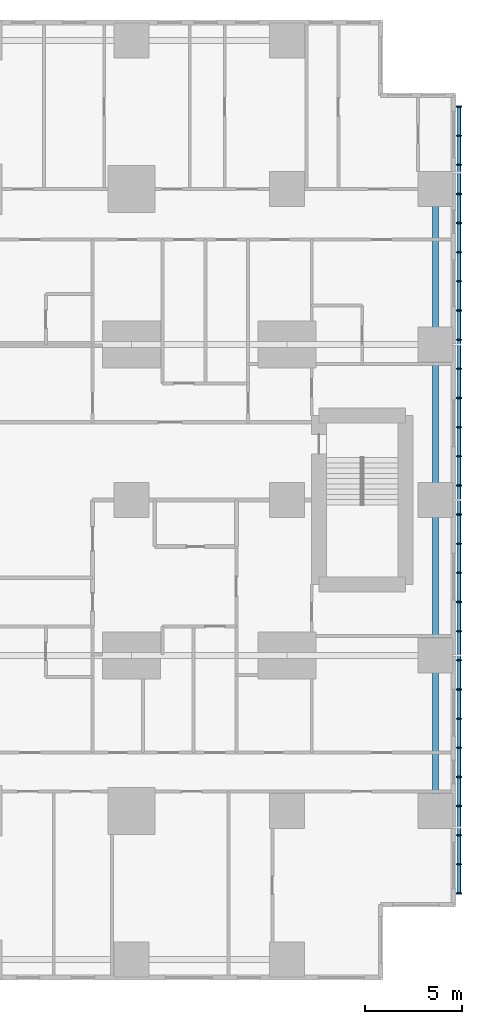
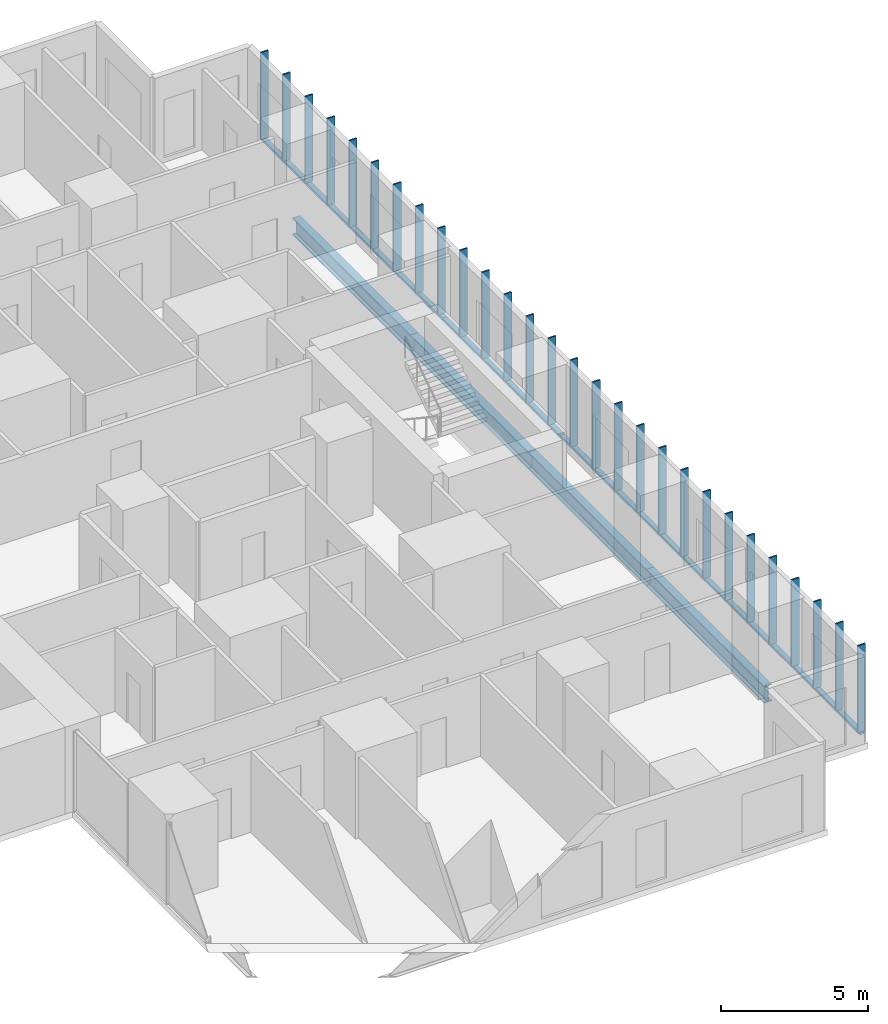
# One storey, part 6 of 20: 32 members, 4 beams.
"""IFC4 building model written with IfcOpenShell, lengths in metres."""

from ifc_helpers import new_model, si_unit, direction, frame, origin, origin_2d, place, context, subcontext, project, spatial, rectangle, hollow_rectangle, i_section, extrude, material, material_profile, profile_set, type_object, element, save


model = new_model("IFC4")

# Units and contexts
model_context = context("Model", 3, precision=1e-05, world=origin(), true_north=direction((0.0, 1.0)))
body_context = subcontext(model_context, "Body", "Model", "MODEL_VIEW")
ifc_project = project(units=[si_unit("LENGTHUNIT", "METRE"), si_unit("AREAUNIT", "SQUARE_METRE"), si_unit("VOLUMEUNIT", "CUBIC_METRE"), si_unit("PLANEANGLEUNIT", "RADIAN"), si_unit("MASSUNIT", "GRAM", prefix="KILO")], contexts=[model_context])

# Site, building, storey
site_placement = place(None, origin())
site = spatial("IfcSite", under=ifc_project, at=site_placement, CompositionType="ELEMENT")
building_placement = place(site_placement, origin())
building = spatial("IfcBuilding", under=site, at=building_placement, Name="Cleftline Residences", CompositionType="ELEMENT")
storey_placement = place(building_placement, frame((0.0, 0.0, 214.60009765625)))
storey = spatial("IfcBuildingStorey", under=building, at=storey_placement, Name="L56", CompositionType="ELEMENT", Elevation=214.60009765625)

# Members
ifc_material_1 = material(Name="Steel S355, hot-dip galvanised", Category="steel")
ifc_material_profile_1 = material_profile(ifc_material_1, hollow_rectangle(XDim=0.10009765625, YDim=0.199951171875, WallThickness=0.008056640625, InnerFilletRadius=0.008056640625, OuterFilletRadius=0.011962890625, at=origin_2d()))
ifc_profile_set_1 = profile_set([ifc_material_profile_1], Name="Steel S355, hot-dip galvanised")
member_type_1 = type_object("IfcMemberType", Name="BAGUETTE CARRIER RHS 200X100X8", PredefinedType="USERDEFINED", material=ifc_profile_set_1)
member_1_placement = place(storey_placement, frame((66.85009765625, 3.699951171875, -0.050048828125), z_axis=(0.0, 1.0, 0.0), x_axis=(0.0, 0.0, 1.0)))
element("IfcMember", 1, at=member_1_placement, inside=storey, type_object=member_type_1, Name="Baguette carrier", ObjectType="BAGUETTE CARRIER", PredefinedType="USERDEFINED", context=body_context, shape_type="SweptSolid", body=[
    extrude(hollow_rectangle(XDim=0.10009765625, YDim=0.199951171875, WallThickness=0.008056640625, InnerFilletRadius=0.008056640625, OuterFilletRadius=0.011962890625, at=origin_2d()), origin(), (0.0, 0.0, 1.0), 12.300048828125),
])
for number, where, z_axis, x_axis, name in (
    (2, (66.85009765625, 16.0, -0.050048828125), (0.0, 1.0, 0.0), (0.0, 0.0, 1.0), "Baguette carrier"),
    (3, (66.85009765625, 24.0, -0.050048828125), (0.0, 1.0, 0.0), (0.0, 0.0, 1.0), "Baguette carrier"),
):
    element("IfcMember", number, at=place(storey_placement, frame(where, z_axis=z_axis, x_axis=x_axis)), inside=storey, type_object=member_type_1, Name=name, ObjectType="BAGUETTE CARRIER", PredefinedType="USERDEFINED", context=body_context, shape_type="SweptSolid", body=[
        extrude(hollow_rectangle(XDim=0.10009765625, YDim=0.199951171875, WallThickness=0.008056640625, InnerFilletRadius=0.008056640625, OuterFilletRadius=0.011962890625, at=origin_2d()), origin(), (0.0, 0.0, 1.0), 8.0),
    ])
member_2_placement = place(storey_placement, frame((66.85009765625, 32.0, -0.050048828125), z_axis=(0.0, 1.0, 0.0), x_axis=(0.0, 0.0, 1.0)))
element("IfcMember", 4, at=member_2_placement, inside=storey, type_object=member_type_1, Name="Baguette carrier", ObjectType="BAGUETTE CARRIER", PredefinedType="USERDEFINED", context=body_context, shape_type="SweptSolid", body=[
    extrude(hollow_rectangle(XDim=0.10009765625, YDim=0.199951171875, WallThickness=0.008056640625, InnerFilletRadius=0.008056640625, OuterFilletRadius=0.011962890625, at=origin_2d()), origin(), (0.0, 0.0, 1.0), 12.300048828125),
])

# Beams
ifc_material_2 = material(Name="Steel S355", Category="steel")
ifc_material_profile_2 = material_profile(ifc_material_2, i_section(OverallWidth=0.300048828125, OverallDepth=0.699951171875, WebThickness=0.01708984375, FlangeThickness=0.031982421875, FilletRadius=0.027099609375, at=origin_2d()))
ifc_profile_set_2 = profile_set([ifc_material_profile_2], Name="Steel S355")
beam_type = type_object("IfcBeamType", Name="BEAM HEB 700", PredefinedType="BEAM", material=ifc_profile_set_2)
for number, where, z_axis, x_axis, name in (
    (5, (65.64990234375, 8.0, -0.60009765625), (0.0, 1.0, 0.0), (-1.0, 0.0, 0.0), "Edge beam"),
    (6, (65.64990234375, 16.0, -0.60009765625), (0.0, 1.0, 0.0), (-1.0, 0.0, 0.0), "Edge beam"),
    (7, (65.64990234375, 24.0, -0.60009765625), (0.0, 1.0, 0.0), (-1.0, 0.0, 0.0), "Edge beam"),
    (8, (65.64990234375, 32.0, -0.60009765625), (0.0, 1.0, 0.0), (-1.0, 0.0, 0.0), "Edge beam"),
):
    element("IfcBeam", number, at=place(storey_placement, frame(where, z_axis=z_axis, x_axis=x_axis)), inside=storey, type_object=beam_type, Name=name, PredefinedType="BEAM", context=body_context, shape_type="SweptSolid", body=[
        extrude(i_section(OverallWidth=0.300048828125, OverallDepth=0.699951171875, WebThickness=0.01708984375, FlangeThickness=0.031982421875, FilletRadius=0.027099609375, at=origin_2d()), origin(), (0.0, 0.0, 1.0), 8.0),
    ])

# Members
ifc_material_3 = material(Name="Extruded terracotta", Category="masonry")
ifc_material_profile_3 = material_profile(ifc_material_3, rectangle(XDim=0.06005859375, YDim=0.300048828125, at=origin_2d()))
ifc_profile_set_3 = profile_set([ifc_material_profile_3], Name="Extruded terracotta")
member_type_2 = type_object("IfcMemberType", Name="TERRACOTTA BAGUETTE 60X300", PredefinedType="USERDEFINED", material=ifc_profile_set_3)
for number, where, z_axis, x_axis, name in (
    (9, (66.85009765625, 3.75, 0.0), (0.0, 0.0, 1.0), (0.0, 1.0, 0.0), "Terracotta baguette"),
    (10, (66.85009765625, 5.25, 0.0), (0.0, 0.0, 1.0), (0.0, 1.0, 0.0), "Terracotta baguette"),
    (11, (66.85009765625, 6.75, 0.0), (0.0, 0.0, 1.0), (0.0, 1.0, 0.0), "Terracotta baguette"),
    (12, (66.85009765625, 8.25, 0.0), (0.0, 0.0, 1.0), (0.0, 1.0, 0.0), "Terracotta baguette"),
    (13, (66.85009765625, 9.75, 0.0), (0.0, 0.0, 1.0), (0.0, 1.0, 0.0), "Terracotta baguette"),
    (14, (66.85009765625, 11.25, 0.0), (0.0, 0.0, 1.0), (0.0, 1.0, 0.0), "Terracotta baguette"),
    (15, (66.85009765625, 12.75, 0.0), (0.0, 0.0, 1.0), (0.0, 1.0, 0.0), "Terracotta baguette"),
    (16, (66.85009765625, 14.25, 0.0), (0.0, 0.0, 1.0), (0.0, 1.0, 0.0), "Terracotta baguette"),
    (17, (66.85009765625, 15.75, 0.0), (0.0, 0.0, 1.0), (0.0, 1.0, 0.0), "Terracotta baguette"),
    (18, (66.85009765625, 17.25, 0.0), (0.0, 0.0, 1.0), (0.0, 1.0, 0.0), "Terracotta baguette"),
    (19, (66.85009765625, 18.75, 0.0), (0.0, 0.0, 1.0), (0.0, 1.0, 0.0), "Terracotta baguette"),
    (20, (66.85009765625, 20.25, 0.0), (0.0, 0.0, 1.0), (0.0, 1.0, 0.0), "Terracotta baguette"),
    (21, (66.85009765625, 21.75, 0.0), (0.0, 0.0, 1.0), (0.0, 1.0, 0.0), "Terracotta baguette"),
    (22, (66.85009765625, 23.25, 0.0), (0.0, 0.0, 1.0), (0.0, 1.0, 0.0), "Terracotta baguette"),
    (23, (66.85009765625, 24.75, 0.0), (0.0, 0.0, 1.0), (0.0, 1.0, 0.0), "Terracotta baguette"),
    (24, (66.85009765625, 26.25, 0.0), (0.0, 0.0, 1.0), (0.0, 1.0, 0.0), "Terracotta baguette"),
    (25, (66.85009765625, 27.75, 0.0), (0.0, 0.0, 1.0), (0.0, 1.0, 0.0), "Terracotta baguette"),
    (26, (66.85009765625, 29.25, 0.0), (0.0, 0.0, 1.0), (0.0, 1.0, 0.0), "Terracotta baguette"),
    (27, (66.85009765625, 30.75, 0.0), (0.0, 0.0, 1.0), (0.0, 1.0, 0.0), "Terracotta baguette"),
    (28, (66.85009765625, 32.25, 0.0), (0.0, 0.0, 1.0), (0.0, 1.0, 0.0), "Terracotta baguette"),
    (29, (66.85009765625, 33.75, 0.0), (0.0, 0.0, 1.0), (0.0, 1.0, 0.0), "Terracotta baguette"),
    (30, (66.85009765625, 35.25, 0.0), (0.0, 0.0, 1.0), (0.0, 1.0, 0.0), "Terracotta baguette"),
    (31, (66.85009765625, 36.75, 0.0), (0.0, 0.0, 1.0), (0.0, 1.0, 0.0), "Terracotta baguette"),
    (32, (66.85009765625, 38.25, 0.0), (0.0, 0.0, 1.0), (0.0, 1.0, 0.0), "Terracotta baguette"),
    (33, (66.85009765625, 39.75, 0.0), (0.0, 0.0, 1.0), (0.0, 1.0, 0.0), "Terracotta baguette"),
    (34, (66.85009765625, 41.25, 0.0), (0.0, 0.0, 1.0), (0.0, 1.0, 0.0), "Terracotta baguette"),
    (35, (66.85009765625, 42.75, 0.0), (0.0, 0.0, 1.0), (0.0, 1.0, 0.0), "Terracotta baguette"),
    (36, (66.85009765625, 44.25, 0.0), (0.0, 0.0, 1.0), (0.0, 1.0, 0.0), "Terracotta baguette"),
):
    element("IfcMember", number, at=place(storey_placement, frame(where, z_axis=z_axis, x_axis=x_axis)), inside=storey, type_object=member_type_2, Name=name, ObjectType="BAGUETTE", PredefinedType="USERDEFINED", context=body_context, shape_type="SweptSolid", body=[
        extrude(rectangle(XDim=0.06005859375, YDim=0.300048828125, at=origin_2d()), origin(), (0.0, 0.0, 1.0), 3.599853515625),
    ])

save(model, "model.ifc")
